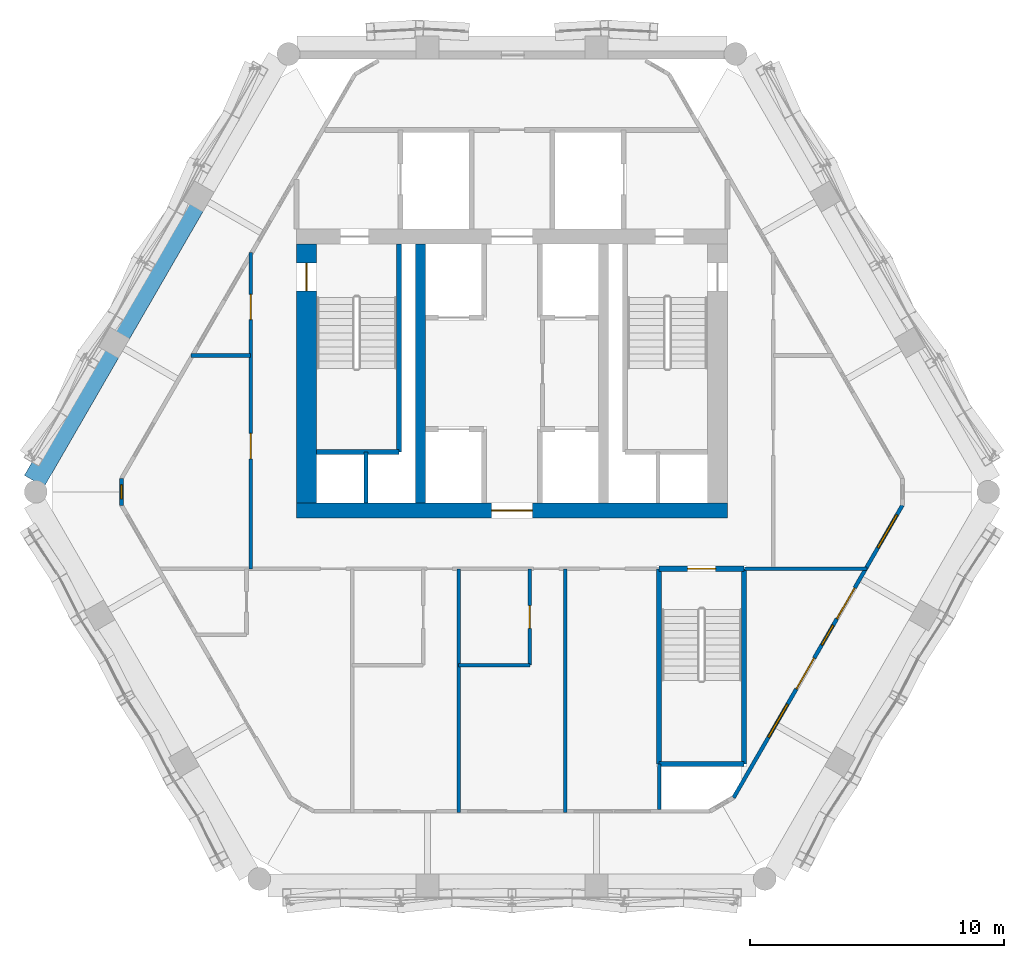
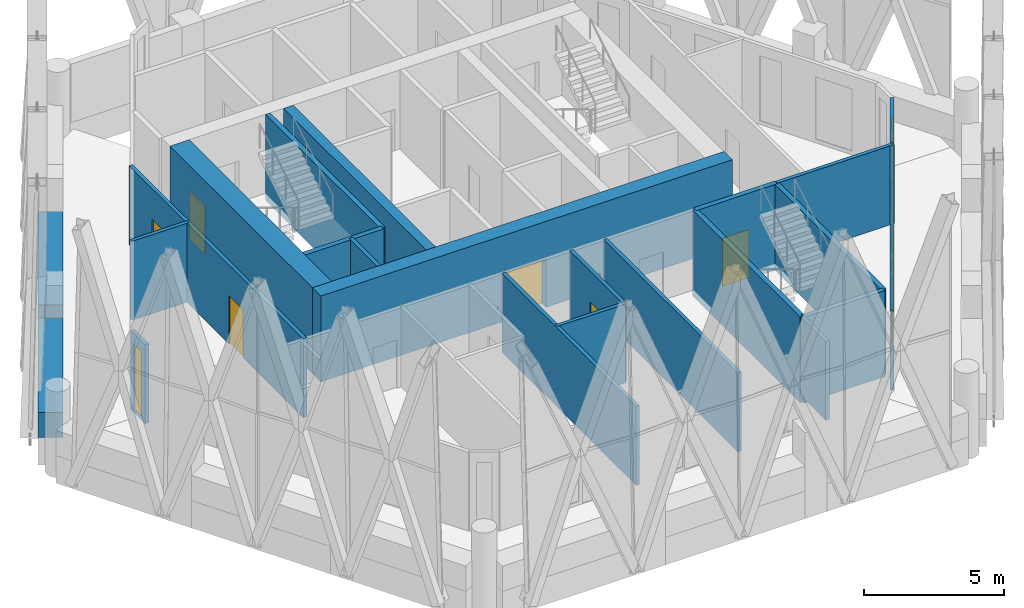
# One storey, part 13 of 22: 22 walls, 8 doors, 4 windows, 12 openings.
"""IFC4 building model written with IfcOpenShell, lengths in metres."""

from ifc_helpers import new_model, si_unit, direction, frame, frame_2d, origin, place, context, subcontext, project, spatial, rectangle, extrude, material, layer, layer_set, type_object, element, fill, save


model = new_model("IFC4")

# Units and contexts
model_context = context("Model", 3, precision=1e-05, world=origin(), true_north=direction((0.0, 1.0)))
body_context = subcontext(model_context, "Body", "Model", "MODEL_VIEW")
ifc_project = project(units=[si_unit("LENGTHUNIT", "METRE"), si_unit("AREAUNIT", "SQUARE_METRE"), si_unit("VOLUMEUNIT", "CUBIC_METRE"), si_unit("PLANEANGLEUNIT", "RADIAN"), si_unit("MASSUNIT", "GRAM", prefix="KILO")], contexts=[model_context])

# Site, building, storey
site_placement = place(None, origin())
site = spatial("IfcSite", under=ifc_project, at=site_placement, CompositionType="ELEMENT")
building_placement = place(site_placement, origin())
building = spatial("IfcBuilding", under=site, at=building_placement, Name="Ostrander Bayou Hotel Tower", CompositionType="ELEMENT")
storey_placement = place(building_placement, frame((0.0, 0.0, 245.0)))
storey = spatial("IfcBuildingStorey", under=building, at=storey_placement, Name="L60", CompositionType="ELEMENT", Elevation=245.0)

# Wall, opening, door
ifc_material_1 = material(Name="Concrete f'c 60 MPa", Category="concrete")
ifc_layer_1 = layer(ifc_material_1, 0.60009765625)
ifc_layer_set_1 = layer_set([ifc_layer_1], Name="CW10 core wall 600 mm f'c 60 MPa")
wall_type_1 = type_object("IfcWallType", Name="CW10 core wall 600 mm f'c 60 MPa", PredefinedType="SHEAR", material=ifc_layer_set_1)
wall_1_placement = place(storey_placement, frame((-8.5, -1.39990234375, -0.300048828125), z_axis=(0.0, 0.0, 1.0), x_axis=(1.0, 0.0, 0.0)))
wall_1 = element("IfcWall", 1, at=wall_1_placement, inside=storey, type_object=wall_type_1, Name="CW10 L60 S", PredefinedType="SHEAR", context=body_context, shape_type="SweptSolid", body=[
    extrude(rectangle(XDim=17.0, YDim=0.60009765625, at=frame_2d((8.5, 0.0))), origin(), (0.0, 0.0, 1.0), 3.75),
])
opening_1_placement = place(wall_1_placement, frame((7.699951171875, 0.0, 0.0)))
opening_1 = element("IfcOpeningElement", 2, at=opening_1_placement, cuts=wall_1, Name="Opening T60-005", PredefinedType="OPENING", context=body_context, shape_type="SweptSolid", body=[
    extrude(rectangle(XDim=1.60009765625, YDim=2.10009765625, at=frame_2d((0.800048828125, 1.050048828125))), frame((0.0, 0.300048828125, 0.0), z_axis=(0.0, -1.0, 0.0), x_axis=(1.0, 0.0, 0.0)), (0.0, 0.0, 1.0), 0.60009765625),
])
ifc_material_2 = material(Name="Timber door leaf", Category="wood")
door_type_1 = type_object("IfcDoorType", Name="D13 double door 1600 x 2100 mm, 1 hour", OperationType="SINGLE_SWING_LEFT", PredefinedType="DOOR", material=ifc_material_2)
door_1_placement = place(opening_1_placement, origin())
door_1 = element("IfcDoor", 3, at=door_1_placement, inside=storey, type_object=door_type_1, Name="dr:L60:005", OperationType="DOUBLE_DOOR_SINGLE_SWING", OverallHeight=2.10009765625, OverallWidth=1.60009765625, PredefinedType="DOOR", context=body_context, shape_type="SweptSolid", body=[
    extrude(rectangle(XDim=1.60009765625, YDim=2.10009765625, at=frame_2d((0.800048828125, 1.050048828125))), frame((0.0, 0.02490234375, 0.0), z_axis=(0.0, -1.0, 0.0), x_axis=(1.0, 0.0, 0.0)), (0.0, 0.0, 1.0), 0.050048828125),
])
fill(opening_1, door_1)

ifc_material_3 = material(Name="Concrete f'c 60 MPa", Category="concrete")
ifc_layer_2 = layer(ifc_material_3, 0.800048828125)
ifc_layer_set_2 = layer_set([ifc_layer_2], Name="CW11 core spine wall 800 mm f'c 60 MPa")
wall_type_2 = type_object("IfcWallType", Name="CW11 core spine wall 800 mm f'c 60 MPa", PredefinedType="SHEAR", material=ifc_layer_set_2)
wall_2_placement = place(storey_placement, frame((-8.10009765625, -1.10009765625, -0.300048828125), z_axis=(0.0, 0.0, 1.0), x_axis=(0.0, 1.0, 0.0)))
wall_2 = element("IfcWall", 4, at=wall_2_placement, inside=storey, type_object=wall_type_2, Name="CW11 L60 W", PredefinedType="SHEAR", context=body_context, shape_type="SweptSolid", body=[
    extrude(rectangle(XDim=10.2001953125, YDim=0.800048828125, at=frame_2d((5.10009765625, 0.0))), origin(), (0.0, 0.0, 1.0), 3.75),
])
opening_2_placement = place(wall_2_placement, frame((8.35009765625, 0.0, 0.0)))
opening_2 = element("IfcOpeningElement", 5, at=opening_2_placement, cuts=wall_2, Name="Opening T60-008", PredefinedType="OPENING", context=body_context, shape_type="SweptSolid", body=[
    extrude(rectangle(XDim=1.10009765625, YDim=2.10009765625, at=frame_2d((0.550048828125, 1.050048828125))), frame((0.0, 0.39990234375, 0.0), z_axis=(0.0, -1.0, 0.0), x_axis=(1.0, 0.0, 0.0)), (0.0, 0.0, 1.0), 0.800048828125),
])
ifc_material_4 = material(Name="Timber door leaf", Category="wood")
door_type_2 = type_object("IfcDoorType", Name="D5 stair door 1100 x 2100 mm, 90 minute", OperationType="SINGLE_SWING_LEFT", PredefinedType="DOOR", material=ifc_material_4)
door_2_placement = place(opening_2_placement, origin())
door_2 = element("IfcDoor", 6, at=door_2_placement, inside=storey, type_object=door_type_2, Name="dr:L60:008", OperationType="SINGLE_SWING_RIGHT", OverallHeight=2.10009765625, OverallWidth=1.10009765625, PredefinedType="DOOR", context=body_context, shape_type="SweptSolid", body=[
    extrude(rectangle(XDim=1.10009765625, YDim=2.10009765625, at=frame_2d((0.550048828125, 1.050048828125))), frame((0.0, 0.02490234375, 0.0), z_axis=(0.0, -1.0, 0.0), x_axis=(1.0, 0.0, 0.0)), (0.0, 0.0, 1.0), 0.050048828125),
])
fill(opening_2, door_2)

# Wall
ifc_material_5 = material(Name="Concrete f'c 60 MPa", Category="concrete")
ifc_layer_3 = layer(ifc_material_5, 0.39990234375)
ifc_layer_set_3 = layer_set([ifc_layer_3], Name="CW12 core bank wall 400 mm f'c 60 MPa")
wall_type_3 = type_object("IfcWallType", Name="CW12 core bank wall 400 mm f'c 60 MPa", PredefinedType="SHEAR", material=ifc_layer_set_3)
wall_3_placement = place(storey_placement, frame((-3.60009765625, -1.10009765625, -0.300048828125), z_axis=(0.0, 0.0, 1.0), x_axis=(0.0, 1.0, 0.0)))
element("IfcWall", 7, at=wall_3_placement, inside=storey, type_object=wall_type_3, Name="CW12 L60 CW", PredefinedType="SHEAR", context=body_context, shape_type="SweptSolid", body=[
    extrude(rectangle(XDim=10.2001953125, YDim=0.39990234375, at=frame_2d((5.10009765625, 0.0))), origin(), (0.0, 0.0, 1.0), 3.75),
])

# Wall, openings, doors, windows
ifc_material_6 = material(Name="Aluminium framed insulated wall", Category="aluminium")
ifc_layer_4 = layer(ifc_material_6, 0.14990234375)
ifc_layer_set_4 = layer_set([ifc_layer_4], Name="GW1 glass-line wall 150 mm")
wall_type_4 = type_object("IfcWallType", Name="GW1 glass-line wall 150 mm", PredefinedType="SOLIDWALL", material=ifc_layer_set_4)
wall_4_placement = place(storey_placement, frame((8.731201171875, -12.72705078125, 0.0), z_axis=(0.0, 0.0, 1.0), x_axis=(0.499997087355, 0.866027085394, 0.0)))
wall_4 = element("IfcWall", 8, at=wall_4_placement, inside=storey, type_object=wall_type_4, Name="GW1 L60 SE 1", PredefinedType="SOLIDWALL", context=body_context, shape_type="SweptSolid", body=[
    extrude(rectangle(XDim=13.3125, YDim=0.14990234375, at=frame_2d((6.65625, 0.0))), origin(), (0.0, 0.0, 1.0), 3.449951171875),
])
opening_3_placement = place(wall_4_placement, frame((2.75634765625, 0.0, 0.14990234375)))
opening_3 = element("IfcOpeningElement", 9, at=opening_3_placement, cuts=wall_4, Name="Opening W4", PredefinedType="OPENING", context=body_context, shape_type="SweptSolid", body=[
    extrude(rectangle(XDim=1.5, YDim=2.85009765625, at=frame_2d((0.75, 1.425048828125))), frame((0.0, 0.074951171875, 0.0), z_axis=(0.0, -1.0, 0.0), x_axis=(1.0, 0.0, 0.0)), (0.0, 0.0, 1.0), 0.14990234375),
])
opening_4_placement = place(wall_4_placement, frame((4.956298828125, 0.0, 0.0)))
opening_4 = element("IfcOpeningElement", 10, at=opening_4_placement, cuts=wall_4, Name="Opening T60-803", PredefinedType="OPENING", context=body_context, shape_type="SweptSolid", body=[
    extrude(rectangle(XDim=1.39990234375, YDim=2.39990234375, at=frame_2d((0.699951171875, 1.199951171875))), frame((0.0, 0.074951171875, 0.0), z_axis=(0.0, -1.0, 0.0), x_axis=(1.0, 0.0, 0.0)), (0.0, 0.0, 1.0), 0.14990234375),
])
opening_5_placement = place(wall_4_placement, frame((6.956298828125, 0.0, 0.14990234375)))
opening_5 = element("IfcOpeningElement", 11, at=opening_5_placement, cuts=wall_4, Name="Opening W18", PredefinedType="OPENING", context=body_context, shape_type="SweptSolid", body=[
    extrude(rectangle(XDim=0.89990234375, YDim=2.85009765625, at=frame_2d((0.449951171875, 1.425048828125))), frame((0.0, 0.074951171875, 0.0), z_axis=(0.0, -1.0, 0.0), x_axis=(1.0, 0.0, 0.0)), (0.0, 0.0, 1.0), 0.14990234375),
])
opening_6_placement = place(wall_4_placement, frame((8.1494140625, 0.0, 0.0)))
opening_6 = element("IfcOpeningElement", 12, at=opening_6_placement, cuts=wall_4, Name="Opening T60-804", PredefinedType="OPENING", context=body_context, shape_type="SweptSolid", body=[
    extrude(rectangle(XDim=1.39990234375, YDim=2.39990234375, at=frame_2d((0.699951171875, 1.199951171875))), frame((0.0, 0.074951171875, 0.0), z_axis=(0.0, -1.0, 0.0), x_axis=(1.0, 0.0, 0.0)), (0.0, 0.0, 1.0), 0.14990234375),
])
opening_7_placement = place(wall_4_placement, frame((11.384521484375, 0.0, 0.14990234375)))
opening_7 = element("IfcOpeningElement", 13, at=opening_7_placement, cuts=wall_4, Name="Opening W4", PredefinedType="OPENING", context=body_context, shape_type="SweptSolid", body=[
    extrude(rectangle(XDim=1.5, YDim=2.72998046875, at=frame_2d((0.75, 1.364990234375))), frame((0.0, 0.074951171875, 0.0), z_axis=(0.0, -1.0, 0.0), x_axis=(1.0, 0.0, 0.0)), (0.0, 0.0, 1.0), 0.14990234375),
])
ifc_material_7 = material(Name="Aluminium and clear glass", Category="aluminium")
door_type_3 = type_object("IfcDoorType", Name="SD4 sliding glass door 1400 mm, zone 4", OperationType="SLIDING_TO_LEFT", PredefinedType="DOOR", material=ifc_material_7)
door_3_placement = place(opening_4_placement, origin())
door_3 = element("IfcDoor", 14, at=door_3_placement, inside=storey, type_object=door_type_3, Name="SD4 L60 SE 1", OperationType="SLIDING_TO_LEFT", OverallHeight=2.39990234375, OverallWidth=1.39990234375, PredefinedType="DOOR", context=body_context, shape_type="SweptSolid", body=[
    extrude(rectangle(XDim=1.39990234375, YDim=2.39990234375, at=frame_2d((0.699951171875, 1.199951171875))), frame((0.0, 0.02490234375, 0.0), z_axis=(0.0, -1.0, 0.0), x_axis=(1.0, 0.0, 0.0)), (0.0, 0.0, 1.0), 0.050048828125),
])
fill(opening_4, door_3)
door_4_placement = place(opening_6_placement, origin())
door_4 = element("IfcDoor", 15, at=door_4_placement, inside=storey, type_object=door_type_3, Name="SD4 L60 SE 2", OperationType="SLIDING_TO_RIGHT", OverallHeight=2.39990234375, OverallWidth=1.39990234375, PredefinedType="DOOR", context=body_context, shape_type="SweptSolid", body=[
    extrude(rectangle(XDim=1.39990234375, YDim=2.39990234375, at=frame_2d((0.699951171875, 1.199951171875))), frame((0.0, 0.02490234375, 0.0), z_axis=(0.0, -1.0, 0.0), x_axis=(1.0, 0.0, 0.0)), (0.0, 0.0, 1.0), 0.050048828125),
])
fill(opening_6, door_4)
ifc_material_8 = material(Name="Aluminium and clear glass", Category="aluminium")
window_type_1 = type_object("IfcWindowType", Name="W18 window 900 mm, zone 4", PartitioningType="SINGLE_PANEL", PredefinedType="WINDOW", material=ifc_material_8)
window_1_placement = place(opening_5_placement, origin())
window_1 = element("IfcWindow", 16, at=window_1_placement, inside=storey, type_object=window_type_1, Name="W18 L60 SE 2", OverallHeight=2.85009765625, OverallWidth=0.89990234375, PartitioningType="SINGLE_PANEL", PredefinedType="WINDOW", context=body_context, shape_type="SweptSolid", body=[
    extrude(rectangle(XDim=0.89990234375, YDim=2.85009765625, at=frame_2d((0.449951171875, 1.425048828125))), frame((0.0, 0.030029296875, 0.0), z_axis=(0.0, -1.0, 0.0), x_axis=(1.0, 0.0, 0.0)), (0.0, 0.0, 1.0), 0.06005859375),
])
fill(opening_5, window_1)
ifc_material_9 = material(Name="Aluminium and clear glass", Category="aluminium")
window_type_2 = type_object("IfcWindowType", Name="W4 fixed window 1500 mm, zone 4", PartitioningType="SINGLE_PANEL", PredefinedType="WINDOW", material=ifc_material_9)
window_2_placement = place(opening_3_placement, origin())
window_2 = element("IfcWindow", 17, at=window_2_placement, inside=storey, type_object=window_type_2, Name="W4 L60 SE 1", OverallHeight=2.85009765625, OverallWidth=1.5, PartitioningType="SINGLE_PANEL", PredefinedType="WINDOW", context=body_context, shape_type="SweptSolid", body=[
    extrude(rectangle(XDim=1.5, YDim=2.85009765625, at=frame_2d((0.75, 1.425048828125))), frame((0.0, 0.030029296875, 0.0), z_axis=(0.0, -1.0, 0.0), x_axis=(1.0, 0.0, 0.0)), (0.0, 0.0, 1.0), 0.06005859375),
])
fill(opening_3, window_2)
window_3_placement = place(opening_7_placement, origin())
window_3 = element("IfcWindow", 18, at=window_3_placement, inside=storey, type_object=window_type_2, Name="W4 L60 SE E21", OverallHeight=2.72998046875, OverallWidth=1.5, PartitioningType="SINGLE_PANEL", PredefinedType="WINDOW", context=body_context, shape_type="SweptSolid", body=[
    extrude(rectangle(XDim=1.5, YDim=2.72998046875, at=frame_2d((0.75, 1.364990234375))), frame((0.0, 0.030029296875, 0.0), z_axis=(0.0, -1.0, 0.0), x_axis=(1.0, 0.0, 0.0)), (0.0, 0.0, 1.0), 0.06005859375),
])
fill(opening_7, window_3)

# Wall, opening, window
wall_5_placement = place(storey_placement, frame((-15.387451171875, -0.133056640625, 0.0), z_axis=(0.0, 0.0, 1.0), x_axis=(0.0, -1.0, 0.0)))
wall_5 = element("IfcWall", 19, at=wall_5_placement, inside=storey, type_object=wall_type_4, Name="GW1 L60 corner 2", PredefinedType="SOLIDWALL", context=body_context, shape_type="SweptSolid", body=[
    extrude(rectangle(XDim=1.06494140625, YDim=0.14990234375, at=frame_2d((0.532470703125, 0.0))), origin(), (0.0, 0.0, 1.0), 3.449951171875),
])
opening_8_placement = place(wall_5_placement, frame((0.257568359375, 0.0, 0.14990234375)))
opening_8 = element("IfcOpeningElement", 20, at=opening_8_placement, cuts=wall_5, Name="Opening W19", PredefinedType="OPENING", context=body_context, shape_type="SweptSolid", body=[
    extrude(rectangle(XDim=0.550048828125, YDim=2.85009765625, at=frame_2d((0.27490234375, 1.425048828125))), frame((0.0, 0.074951171875, 0.0), z_axis=(0.0, -1.0, 0.0), x_axis=(1.0, 0.0, 0.0)), (0.0, 0.0, 1.0), 0.14990234375),
])
ifc_material_10 = material(Name="Aluminium and clear glass", Category="aluminium")
window_type_3 = type_object("IfcWindowType", Name="W19 corner window 550 mm", PartitioningType="SINGLE_PANEL", PredefinedType="WINDOW", material=ifc_material_10)
window_4_placement = place(opening_8_placement, origin())
window_4 = element("IfcWindow", 21, at=window_4_placement, inside=storey, type_object=window_type_3, Name="W19 L60 corner 2", OverallHeight=2.85009765625, OverallWidth=0.550048828125, PartitioningType="SINGLE_PANEL", PredefinedType="WINDOW", context=body_context, shape_type="SweptSolid", body=[
    extrude(rectangle(XDim=0.550048828125, YDim=2.85009765625, at=frame_2d((0.27490234375, 1.425048828125))), frame((0.0, 0.030029296875, 0.0), z_axis=(0.0, -1.0, 0.0), x_axis=(1.0, 0.0, 0.0)), (0.0, 0.0, 1.0), 0.06005859375),
])
fill(opening_8, window_4)

# Walls
ifc_material_11 = material(Name="Concrete f'c 40 MPa", Category="concrete")
ifc_layer_5 = layer(ifc_material_11, 0.89990234375)
ifc_layer_set_5 = layer_set([ifc_layer_5], Name="PA1 stone-faced parapet 900 mm")
wall_type_5 = type_object("IfcWallType", Name="PA1 stone-faced parapet 900 mm", PredefinedType="PARAPET", material=ifc_layer_set_5)
wall_6_placement = place(storey_placement, frame((-12.5615234375, 10.61181640625, 0.0), z_axis=(0.0, 0.0, 1.0), x_axis=(-0.499997265274, -0.866026982673, 0.0)))
element("IfcWall", 22, at=wall_6_placement, inside=storey, type_object=wall_type_5, Name="PA1 L60 NW-2", PredefinedType="PARAPET", context=body_context, shape_type="SweptSolid", body=[
    extrude(rectangle(XDim=5.81884765625, YDim=0.89990234375, at=frame_2d((2.909423828125, 0.0))), origin(), (0.0, 0.0, 1.0), 1.10009765625),
])
wall_7_placement = place(storey_placement, frame((-15.890869140625, 4.84521484375, 0.0), z_axis=(0.0, 0.0, 1.0), x_axis=(-0.499990994059, -0.866030603304, 0.0)))
element("IfcWall", 23, at=wall_7_placement, inside=storey, type_object=wall_type_5, Name="PA1 L60 NW-3", PredefinedType="PARAPET", context=body_context, shape_type="SweptSolid", body=[
    extrude(rectangle(XDim=5.8759765625, YDim=0.89990234375, at=frame_2d((2.93798828125, 0.0))), origin(), (0.0, 0.0, 1.0), 1.10009765625),
])
ifc_material_12 = material(Name="Gypsum board partition", Category="finish")
ifc_layer_6 = layer(ifc_material_12, 0.14990234375)
ifc_layer_set_6 = layer_set([ifc_layer_6], Name="PT7 riser wall 150 mm, 2 hour")
wall_type_6 = type_object("IfcWallType", Name="PT7 riser wall 150 mm, 2 hour", PredefinedType="PARTITIONING", material=ifc_layer_set_6)
wall_8_placement = place(storey_placement, frame((-5.75, -1.10009765625, 0.0), z_axis=(0.0, 0.0, 1.0), x_axis=(0.0, 1.0, 0.0)))
element("IfcWall", 24, at=wall_8_placement, inside=storey, type_object=wall_type_6, Name="cs:L60:011", PredefinedType="PARTITIONING", context=body_context, shape_type="SweptSolid", body=[
    extrude(rectangle(XDim=2.0, YDim=0.14990234375, at=frame_2d((1.0, 0.0))), origin(), (0.0, 0.0, 1.0), 3.449951171875),
])
wall_9_placement = place(storey_placement, frame((5.800048828125, -11.39990234375, 0.0), z_axis=(0.0, 0.0, 1.0), x_axis=(0.0, -1.0, 0.0)))
element("IfcWall", 25, at=wall_9_placement, inside=storey, type_object=wall_type_6, Name="cs:L60:019", PredefinedType="PARTITIONING", context=body_context, shape_type="SweptSolid", body=[
    extrude(rectangle(XDim=1.78466796875, YDim=0.14990234375, at=frame_2d((0.892333984375, 0.0))), origin(), (0.0, 0.0, 1.0), 3.449951171875),
])
ifc_material_13 = material(Name="Gypsum board partition", Category="finish")
ifc_layer_7 = layer(ifc_material_13, 0.14990234375)
ifc_layer_set_7 = layer_set([ifc_layer_7], Name="PT8 service band wall 150 mm, 1 hour")
wall_type_7 = type_object("IfcWallType", Name="PT8 service band wall 150 mm, 1 hour", PredefinedType="PARTITIONING", material=ifc_layer_set_7)
wall_10_placement = place(storey_placement, frame((-2.10009765625, -7.5, 0.0), z_axis=(0.0, 0.0, 1.0), x_axis=(1.0, 0.0, 0.0)))
element("IfcWall", 26, at=wall_10_placement, inside=storey, type_object=wall_type_7, Name="gw:L60:002", PredefinedType="PARTITIONING", context=body_context, shape_type="SweptSolid", body=[
    extrude(rectangle(XDim=2.800048828125, YDim=0.14990234375, at=frame_2d((1.39990234375, 0.0))), origin(), (0.0, 0.0, 1.0), 3.449951171875),
])
wall_11_placement = place(storey_placement, frame((9.159912109375, -3.699951171875, 0.0), z_axis=(0.0, 0.0, 1.0), x_axis=(1.0, 0.0, 0.0)))
element("IfcWall", 27, at=wall_11_placement, inside=storey, type_object=wall_type_7, Name="gw:L60:005", PredefinedType="PARTITIONING", context=body_context, shape_type="SweptSolid", body=[
    extrude(rectangle(XDim=4.835205078125, YDim=0.14990234375, at=frame_2d((2.41748046875, 0.0))), origin(), (0.0, 0.0, 1.0), 3.449951171875),
])
wall_12_placement = place(storey_placement, frame((-12.64892578125, 4.699951171875, 0.0), z_axis=(0.0, 0.0, 1.0), x_axis=(1.0, 0.0, 0.0)))
element("IfcWall", 28, at=wall_12_placement, inside=storey, type_object=wall_type_7, Name="gw:L60:006", PredefinedType="PARTITIONING", context=body_context, shape_type="SweptSolid", body=[
    extrude(rectangle(XDim=2.348876953125, YDim=0.14990234375, at=frame_2d((1.17431640625, 0.0))), origin(), (0.0, 0.0, 1.0), 3.449951171875),
])
wall_13_placement = place(storey_placement, frame((2.10009765625, -13.303955078125, 0.0), z_axis=(0.0, 0.0, 1.0), x_axis=(0.0, 1.0, 0.0)))
element("IfcWall", 29, at=wall_13_placement, inside=storey, type_object=wall_type_7, Name="gw:L60:010", PredefinedType="PARTITIONING", context=body_context, shape_type="SweptSolid", body=[
    extrude(rectangle(XDim=9.60400390625, YDim=0.14990234375, at=frame_2d((4.802001953125, 0.0))), origin(), (0.0, 0.0, 1.0), 3.449951171875),
])

# Wall, opening, door
wall_14_placement = place(storey_placement, frame((0.699951171875, -7.5, 0.0), z_axis=(0.0, 0.0, 1.0), x_axis=(0.0, 1.0, 0.0)))
wall_14 = element("IfcWall", 30, at=wall_14_placement, inside=storey, type_object=wall_type_7, Name="gw:L60:011", PredefinedType="PARTITIONING", context=body_context, shape_type="SweptSolid", body=[
    extrude(rectangle(XDim=3.800048828125, YDim=0.14990234375, at=frame_2d((1.89990234375, 0.0))), origin(), (0.0, 0.0, 1.0), 3.449951171875),
])
opening_9_placement = place(wall_14_placement, frame((1.449951171875, 0.0, 0.0)))
opening_9 = element("IfcOpeningElement", 31, at=opening_9_placement, cuts=wall_14, Name="Opening T60-401", PredefinedType="OPENING", context=body_context, shape_type="SweptSolid", body=[
    extrude(rectangle(XDim=0.89990234375, YDim=2.10009765625, at=frame_2d((0.449951171875, 1.050048828125))), frame((0.0, 0.074951171875, 0.0), z_axis=(0.0, -1.0, 0.0), x_axis=(1.0, 0.0, 0.0)), (0.0, 0.0, 1.0), 0.14990234375),
])
ifc_material_14 = material(Name="Timber door leaf", Category="wood")
door_type_4 = type_object("IfcDoorType", Name="D14 bathroom door 900 x 2100 mm", OperationType="SINGLE_SWING_LEFT", PredefinedType="DOOR", material=ifc_material_14)
door_5_placement = place(opening_9_placement, origin())
door_5 = element("IfcDoor", 32, at=door_5_placement, inside=storey, type_object=door_type_4, Name="dr:L60:401", OperationType="SINGLE_SWING_RIGHT", OverallHeight=2.10009765625, OverallWidth=0.89990234375, PredefinedType="DOOR", context=body_context, shape_type="SweptSolid", body=[
    extrude(rectangle(XDim=0.89990234375, YDim=2.10009765625, at=frame_2d((0.449951171875, 1.050048828125))), frame((0.0, 0.02490234375, 0.0), z_axis=(0.0, -1.0, 0.0), x_axis=(1.0, 0.0, 0.0)), (0.0, 0.0, 1.0), 0.050048828125),
])
fill(opening_9, door_5)

# Wall
wall_15_placement = place(storey_placement, frame((-2.10009765625, -13.303955078125, 0.0), z_axis=(0.0, 0.0, 1.0), x_axis=(0.0, 1.0, 0.0)))
element("IfcWall", 33, at=wall_15_placement, inside=storey, type_object=wall_type_7, Name="gw:L60:012", PredefinedType="PARTITIONING", context=body_context, shape_type="SweptSolid", body=[
    extrude(rectangle(XDim=9.60400390625, YDim=0.14990234375, at=frame_2d((4.802001953125, 0.0))), origin(), (0.0, 0.0, 1.0), 3.449951171875),
])

# Wall, openings, doors
wall_16_placement = place(storey_placement, frame((-10.300048828125, -3.699951171875, 0.0), z_axis=(0.0, 0.0, 1.0), x_axis=(0.0, 1.0, 0.0)))
wall_16 = element("IfcWall", 34, at=wall_16_placement, inside=storey, type_object=wall_type_7, Name="gw:L60:015", PredefinedType="PARTITIONING", context=body_context, shape_type="SweptSolid", body=[
    extrude(rectangle(XDim=12.468994140625, YDim=0.14990234375, at=frame_2d((6.234375, 0.0))), origin(), (0.0, 0.0, 1.0), 3.449951171875),
])
opening_10_placement = place(wall_16_placement, frame((4.33203125, 0.0, 0.0)))
opening_10 = element("IfcOpeningElement", 35, at=opening_10_placement, cuts=wall_16, Name="Opening T60-407", PredefinedType="OPENING", context=body_context, shape_type="SweptSolid", body=[
    extrude(rectangle(XDim=1.0, YDim=2.10009765625, at=frame_2d((0.5, 1.050048828125))), frame((0.0, 0.074951171875, 0.0), z_axis=(0.0, -1.0, 0.0), x_axis=(1.0, 0.0, 0.0)), (0.0, 0.0, 1.0), 0.14990234375),
])
opening_11_placement = place(wall_16_placement, frame((9.81494140625, 0.0, 0.0)))
opening_11 = element("IfcOpeningElement", 36, at=opening_11_placement, cuts=wall_16, Name="Opening T60-408", PredefinedType="OPENING", context=body_context, shape_type="SweptSolid", body=[
    extrude(rectangle(XDim=1.0, YDim=2.10009765625, at=frame_2d((0.5, 1.050048828125))), frame((0.0, 0.074951171875, 0.0), z_axis=(0.0, -1.0, 0.0), x_axis=(1.0, 0.0, 0.0)), (0.0, 0.0, 1.0), 0.14990234375),
])
ifc_material_15 = material(Name="Timber door leaf", Category="wood")
door_type_5 = type_object("IfcDoorType", Name="D15 room door 1000 x 2100 mm", OperationType="SINGLE_SWING_LEFT", PredefinedType="DOOR", material=ifc_material_15)
door_6_placement = place(opening_10_placement, origin())
door_6 = element("IfcDoor", 37, at=door_6_placement, inside=storey, type_object=door_type_5, Name="dr:L60:407", OperationType="SINGLE_SWING_RIGHT", OverallHeight=2.10009765625, OverallWidth=1.0, PredefinedType="DOOR", context=body_context, shape_type="SweptSolid", body=[
    extrude(rectangle(XDim=1.0, YDim=2.10009765625, at=frame_2d((0.5, 1.050048828125))), frame((0.0, 0.02490234375, 0.0), z_axis=(0.0, -1.0, 0.0), x_axis=(1.0, 0.0, 0.0)), (0.0, 0.0, 1.0), 0.050048828125),
])
fill(opening_10, door_6)
ifc_material_16 = material(Name="Timber door leaf", Category="wood")
door_type_6 = type_object("IfcDoorType", Name="D9 service door 1000 x 2100 mm, 30 minute", OperationType="SINGLE_SWING_LEFT", PredefinedType="DOOR", material=ifc_material_16)
door_7_placement = place(opening_11_placement, origin())
door_7 = element("IfcDoor", 38, at=door_7_placement, inside=storey, type_object=door_type_6, Name="dr:L60:408", OperationType="SINGLE_SWING_LEFT", OverallHeight=2.10009765625, OverallWidth=1.0, PredefinedType="DOOR", context=body_context, shape_type="SweptSolid", body=[
    extrude(rectangle(XDim=1.0, YDim=2.10009765625, at=frame_2d((0.5, 1.050048828125))), frame((0.0, 0.02490234375, 0.0), z_axis=(0.0, -1.0, 0.0), x_axis=(1.0, 0.0, 0.0)), (0.0, 0.0, 1.0), 0.050048828125),
])
fill(opening_11, door_7)

# Walls
ifc_material_17 = material(Name="Concrete f'c 45 MPa", Category="concrete")
ifc_layer_8 = layer(ifc_material_17, 0.199951171875)
ifc_layer_set_8 = layer_set([ifc_layer_8], Name="SW5 stair enclosure wall 200 mm f'c 45 MPa")
wall_type_8 = type_object("IfcWallType", Name="SW5 stair enclosure wall 200 mm f'c 45 MPa", PredefinedType="SOLIDWALL", material=ifc_layer_set_8)
wall_17_placement = place(storey_placement, frame((-4.449951171875, 0.89990234375, -0.300048828125), z_axis=(0.0, 0.0, 1.0), x_axis=(0.0, 1.0, 0.0)))
element("IfcWall", 39, at=wall_17_placement, inside=storey, type_object=wall_type_8, Name="cs:L60:009", PredefinedType="SOLIDWALL", context=body_context, shape_type="SweptSolid", body=[
    extrude(rectangle(XDim=8.2001953125, YDim=0.199951171875, at=frame_2d((4.10009765625, 0.0))), origin(), (0.0, 0.0, 1.0), 3.75),
])
wall_18_placement = place(storey_placement, frame((-7.699951171875, 0.89990234375, -0.300048828125), z_axis=(0.0, 0.0, 1.0), x_axis=(1.0, 0.0, 0.0)))
element("IfcWall", 40, at=wall_18_placement, inside=storey, type_object=wall_type_8, Name="cs:L60:010", PredefinedType="SOLIDWALL", context=body_context, shape_type="SweptSolid", body=[
    extrude(rectangle(XDim=3.25, YDim=0.199951171875, at=frame_2d((1.625, 0.0))), origin(), (0.0, 0.0, 1.0), 3.75),
])

# Wall, opening, door
wall_19_placement = place(storey_placement, frame((5.800048828125, -3.699951171875, -0.300048828125), z_axis=(0.0, 0.0, 1.0), x_axis=(1.0, 0.0, 0.0)))
wall_19 = element("IfcWall", 41, at=wall_19_placement, inside=storey, type_object=wall_type_8, Name="cs:L60:015", PredefinedType="SOLIDWALL", context=body_context, shape_type="SweptSolid", body=[
    extrude(rectangle(XDim=3.349853515625, YDim=0.199951171875, at=frame_2d((1.6748046875, 0.0))), origin(), (0.0, 0.0, 1.0), 3.75),
])
opening_12_placement = place(wall_19_placement, frame((1.125, 0.0, 0.0)))
opening_12 = element("IfcOpeningElement", 42, at=opening_12_placement, cuts=wall_19, Name="Opening T60-011", PredefinedType="OPENING", context=body_context, shape_type="SweptSolid", body=[
    extrude(rectangle(XDim=1.10009765625, YDim=2.10009765625, at=frame_2d((0.550048828125, 1.050048828125))), frame((0.0, 0.10009765625, 0.0), z_axis=(0.0, -1.0, 0.0), x_axis=(1.0, 0.0, 0.0)), (0.0, 0.0, 1.0), 0.199951171875),
])
door_8_placement = place(opening_12_placement, origin())
door_8 = element("IfcDoor", 43, at=door_8_placement, inside=storey, type_object=door_type_2, Name="dr:L60:011", OperationType="SINGLE_SWING_LEFT", OverallHeight=2.10009765625, OverallWidth=1.10009765625, PredefinedType="DOOR", context=body_context, shape_type="SweptSolid", body=[
    extrude(rectangle(XDim=1.10009765625, YDim=2.10009765625, at=frame_2d((0.550048828125, 1.050048828125))), frame((0.0, 0.02490234375, 0.0), z_axis=(0.0, -1.0, 0.0), x_axis=(1.0, 0.0, 0.0)), (0.0, 0.0, 1.0), 0.050048828125),
])
fill(opening_12, door_8)

# Walls
for number, where, z_axis, x_axis, name in (
    (44, (5.800048828125, -3.699951171875, -0.300048828125), (0.0, 0.0, 1.0), (0.0, -1.0, 0.0), "cs:L60:016"),
    (45, (9.14990234375, -3.699951171875, -0.300048828125), (0.0, 0.0, 1.0), (0.0, -1.0, 0.0), "cs:L60:017"),
):
    element("IfcWall", number, at=place(storey_placement, frame(where, z_axis=z_axis, x_axis=x_axis)), inside=storey, type_object=wall_type_8, Name=name, PredefinedType="SOLIDWALL", context=body_context, shape_type="SweptSolid", body=[
        extrude(rectangle(XDim=7.699951171875, YDim=0.199951171875, at=frame_2d((3.85009765625, 0.0))), origin(), (0.0, 0.0, 1.0), 3.75),
    ])
wall_20_placement = place(storey_placement, frame((5.800048828125, -11.39990234375, -0.300048828125), z_axis=(0.0, 0.0, 1.0), x_axis=(1.0, 0.0, 0.0)))
element("IfcWall", 46, at=wall_20_placement, inside=storey, type_object=wall_type_8, Name="cs:L60:018", PredefinedType="SOLIDWALL", context=body_context, shape_type="SweptSolid", body=[
    extrude(rectangle(XDim=3.349853515625, YDim=0.199951171875, at=frame_2d((1.6748046875, 0.0))), origin(), (0.0, 0.0, 1.0), 3.75),
])

save(model, "model.ifc")
